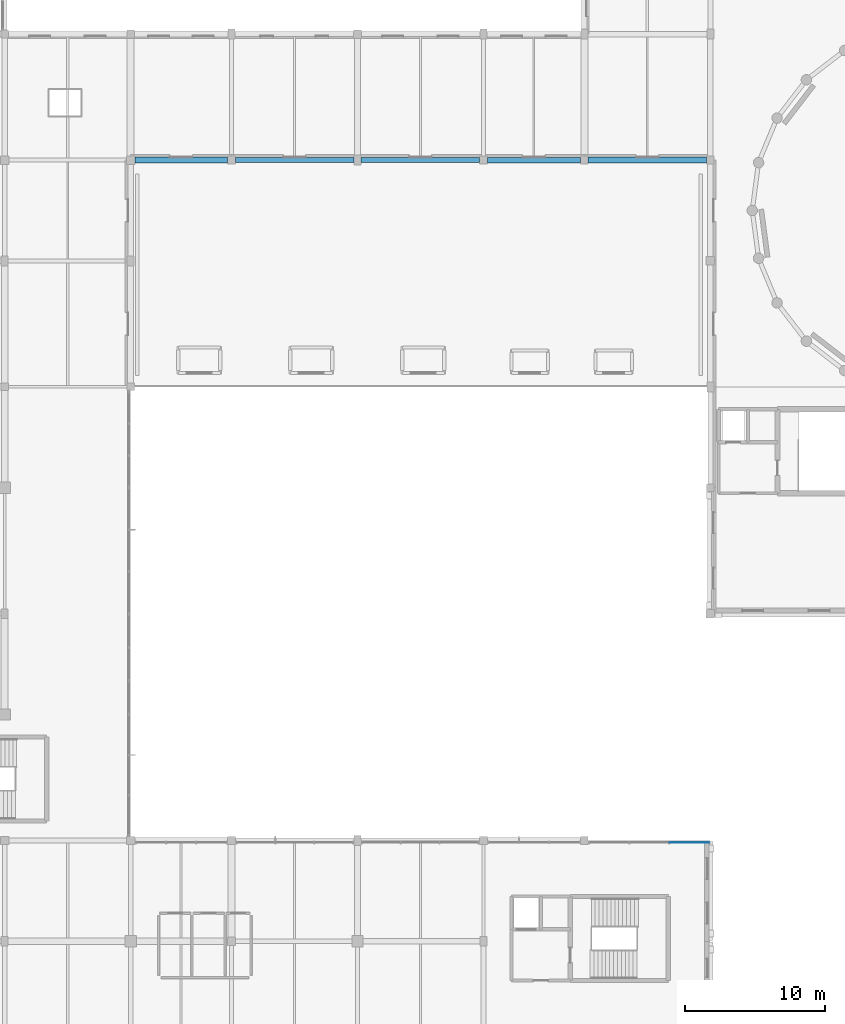
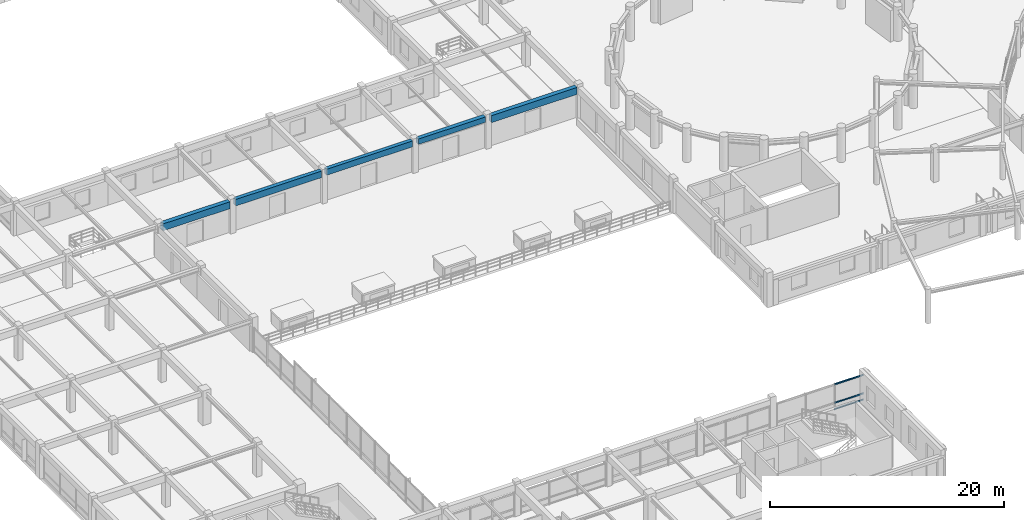
# One storey, part 13 of 74: 5 beams, 3 members, 1 element without a shape of its own.
"""IFC4 building model written with IfcOpenShell, lengths in metres."""

from ifc_helpers import new_model, si_unit, direction, frame, origin, origin_2d, place, context, subcontext, project, spatial, rectangle, extrude, material, material_profile, profile_set, type_object, element, aggregate, save


model = new_model("IFC4")

# Units and contexts
model_context = context("Model", 3, precision=1e-05, world=origin(), true_north=direction((0.0, 1.0)))
body_context = subcontext(model_context, "Body", "Model", "MODEL_VIEW")
ifc_project = project(units=[si_unit("LENGTHUNIT", "METRE"), si_unit("AREAUNIT", "SQUARE_METRE"), si_unit("VOLUMEUNIT", "CUBIC_METRE"), si_unit("PLANEANGLEUNIT", "RADIAN"), si_unit("MASSUNIT", "GRAM", prefix="KILO")], contexts=[model_context])

# Site, building, storey
site_placement = place(None, origin())
site = spatial("IfcSite", under=ifc_project, at=site_placement, CompositionType="ELEMENT")
building_placement = place(site_placement, origin())
building = spatial("IfcBuilding", under=site, at=building_placement, Name="Clarverna Civic Hall", CompositionType="ELEMENT")
storey_placement = place(building_placement, frame((0.0, 0.0, 9.60009765625)))
storey = spatial("IfcBuildingStorey", under=building, at=storey_placement, Name="L02", CompositionType="ELEMENT", Elevation=9.60009765625)

# Beams
ifc_material_1 = material(Name="Concrete C35/45", Category="concrete")
ifc_material_profile_1 = material_profile(ifc_material_1, rectangle(XDim=0.419921875, YDim=0.719970703125, at=origin_2d()), Name="RC 420x720")
ifc_profile_set_1 = profile_set([ifc_material_profile_1], Name="Concrete C35/45")
beam_type_1 = type_object("IfcBeamType", Name="B-SP1", PredefinedType="SPANDREL", material=ifc_profile_set_1)
beam_1_placement = place(storey_placement, frame((25.5, 62.60009765625, 2.97998046875), z_axis=(1.0, 0.0, 0.0), x_axis=(0.0, 1.0, 0.0)))
element("IfcBeam", 1, at=beam_1_placement, inside=storey, type_object=beam_type_1, Name="B-SP1-084", PredefinedType="SPANDREL", context=body_context, shape_type="SweptSolid", body=[
    extrude(rectangle(XDim=0.419921875, YDim=0.719970703125, at=origin_2d()), origin(), (0.0, 0.0, 1.0), 6.625),
])
beam_2_placement = place(storey_placement, frame((57.875, 62.60009765625, 2.919921875), z_axis=(1.0, 0.0, 0.0), x_axis=(0.0, 1.0, 0.0)))
element("IfcBeam", 2, at=beam_2_placement, inside=storey, type_object=beam_type_1, Name="B-SP1-085", PredefinedType="SPANDREL", context=body_context, shape_type="SweptSolid", body=[
    extrude(rectangle(XDim=0.419921875, YDim=0.719970703125, at=origin_2d()), origin(), (0.0, 0.0, 1.0), 8.449951171875),
])
ifc_material_profile_2 = material_profile(ifc_material_1, rectangle(XDim=0.3798828125, YDim=0.679931640625, at=origin_2d()), Name="RC 380x680")
ifc_profile_set_2 = profile_set([ifc_material_profile_2], Name="Concrete C35/45")
beam_type_2 = type_object("IfcBeamType", Name="B-SP2", PredefinedType="SPANDREL", material=ifc_profile_set_2)
beam_3_placement = place(storey_placement, frame((32.675048828125, 62.60009765625, 3.02001953125), z_axis=(1.0, 0.0, 0.0), x_axis=(0.0, 1.0, 0.0)))
element("IfcBeam", 3, at=beam_3_placement, inside=storey, type_object=beam_type_2, Name="B-SP2-085", PredefinedType="SPANDREL", context=body_context, shape_type="SweptSolid", body=[
    extrude(rectangle(XDim=0.3798828125, YDim=0.679931640625, at=origin_2d()), origin(), (0.0, 0.0, 1.0), 8.474853515625),
])
ifc_material_profile_3 = material_profile(ifc_material_1, rectangle(XDim=0.360107421875, YDim=0.6201171875, at=origin_2d()), Name="RC 360x620")
ifc_profile_set_3 = profile_set([ifc_material_profile_3], Name="Concrete C35/45")
beam_type_3 = type_object("IfcBeamType", Name="B-SP3", PredefinedType="SPANDREL", material=ifc_profile_set_3)
beam_4_placement = place(storey_placement, frame((41.64990234375, 62.60009765625, 3.0498046875), z_axis=(1.0, 0.0, 0.0), x_axis=(0.0, 1.0, 0.0)))
element("IfcBeam", 4, at=beam_4_placement, inside=storey, type_object=beam_type_3, Name="B-SP3-085", PredefinedType="SPANDREL", context=body_context, shape_type="SweptSolid", body=[
    extrude(rectangle(XDim=0.360107421875, YDim=0.6201171875, at=origin_2d()), origin(), (0.0, 0.0, 1.0), 8.47509765625),
])
ifc_material_profile_4 = material_profile(ifc_material_1, rectangle(XDim=0.39990234375, YDim=0.56005859375, at=origin_2d()), Name="RC 400x560")
ifc_profile_set_4 = profile_set([ifc_material_profile_4], Name="Concrete C35/45")
beam_type_4 = type_object("IfcBeamType", Name="B-SP4", PredefinedType="SPANDREL", material=ifc_profile_set_4)
beam_5_placement = place(storey_placement, frame((50.675048828125, 62.60009765625, 3.079833984375), z_axis=(1.0, 0.0, 0.0), x_axis=(0.0, 1.0, 0.0)))
element("IfcBeam", 5, at=beam_5_placement, inside=storey, type_object=beam_type_4, Name="B-SP4-083", PredefinedType="SPANDREL", context=body_context, shape_type="SweptSolid", body=[
    extrude(rectangle(XDim=0.39990234375, YDim=0.56005859375, at=origin_2d()), origin(), (0.0, 0.0, 1.0), 6.64990234375),
])

# Curtain wall, members
ifc_material_2 = material(Name="Anodised Bronze Architectural Aluminium", Category="aluminium")
curtain_wall_type = type_object("IfcCurtainWallType", Name="CW-01", PredefinedType="USERDEFINED", material=ifc_material_2)
curtain_wall_placement = place(storey_placement, origin())
curtain_wall = element("IfcCurtainWall", 6, at=curtain_wall_placement, inside=storey, type_object=curtain_wall_type, Name="CW-01-062", ObjectType="UNITISED CURTAIN WALL", PredefinedType="USERDEFINED")
ifc_material_profile_5 = material_profile(ifc_material_2, rectangle(XDim=0.06005859375, YDim=0.14990234375, at=origin_2d()), Name="BRONZE 60x150")
ifc_profile_set_5 = profile_set([ifc_material_profile_5], Name="Anodised Bronze Architectural Aluminium")
member_type = type_object("IfcMemberType", Name="CWT-01", PredefinedType="USERDEFINED", material=ifc_profile_set_5)
member_1_placement = place(storey_placement, frame((63.6923828125, 13.860107421875, 0.094970703125), z_axis=(1.0, 0.0, 0.0), x_axis=(0.0, 1.0, 0.0)))
member_1 = element("IfcMember", 7, at=member_1_placement, type_object=member_type, Name="CWT-01-244", ObjectType="TRANSOM", PredefinedType="USERDEFINED", context=body_context, shape_type="SweptSolid", body=[
    extrude(rectangle(XDim=0.06005859375, YDim=0.14990234375, at=origin_2d()), origin(), (0.0, 0.0, 1.0), 2.834716796875),
])
member_2_placement = place(storey_placement, frame((63.6923828125, 13.860107421875, 0.75), z_axis=(1.0, 0.0, 0.0), x_axis=(0.0, 1.0, 0.0)))
member_2 = element("IfcMember", 8, at=member_2_placement, type_object=member_type, Name="CWT-01-245", ObjectType="TRANSOM", PredefinedType="USERDEFINED", context=body_context, shape_type="SweptSolid", body=[
    extrude(rectangle(XDim=0.06005859375, YDim=0.14990234375, at=origin_2d()), origin(), (0.0, 0.0, 1.0), 2.834716796875),
])
member_3_placement = place(storey_placement, frame((63.6923828125, 13.860107421875, 2.664794921875), z_axis=(1.0, 0.0, 0.0), x_axis=(0.0, 1.0, 0.0)))
member_3 = element("IfcMember", 9, at=member_3_placement, type_object=member_type, Name="CWT-01-246", ObjectType="TRANSOM", PredefinedType="USERDEFINED", context=body_context, shape_type="SweptSolid", body=[
    extrude(rectangle(XDim=0.06005859375, YDim=0.14990234375, at=origin_2d()), origin(), (0.0, 0.0, 1.0), 2.834716796875),
])
aggregate(curtain_wall, [member_1, member_2, member_3])

save(model, "model.ifc")
